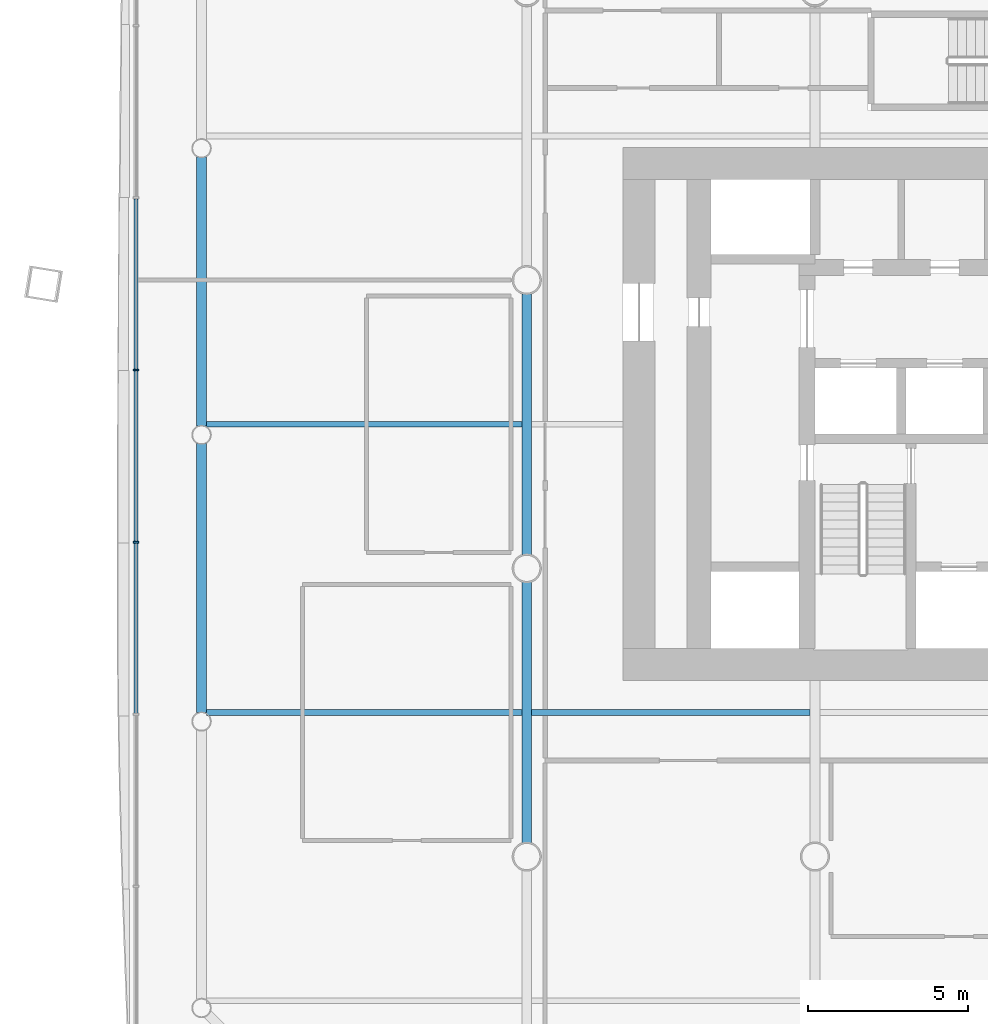
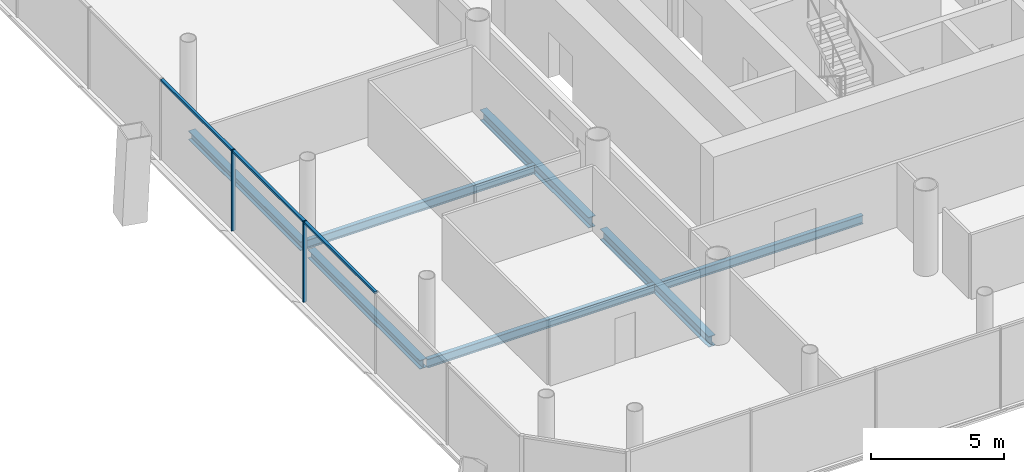
# One storey, part 4 of 22: 7 beams, 5 members, 1 element without a shape of its own.
"""IFC4 building model written with IfcOpenShell, lengths in metres."""

from ifc_helpers import new_model, si_unit, direction, frame, origin, origin_2d, place, context, subcontext, project, spatial, rectangle, i_section, extrude, material, material_profile, profile_set, type_object, element, aggregate, save


model = new_model("IFC4")

# Units and contexts
model_context = context("Model", 3, precision=1e-05, world=origin(), true_north=direction((0.0, 1.0)))
body_context = subcontext(model_context, "Body", "Model", "MODEL_VIEW")
ifc_project = project(units=[si_unit("LENGTHUNIT", "METRE"), si_unit("AREAUNIT", "SQUARE_METRE"), si_unit("VOLUMEUNIT", "CUBIC_METRE"), si_unit("PLANEANGLEUNIT", "RADIAN"), si_unit("MASSUNIT", "GRAM", prefix="KILO")], contexts=[model_context])

# Site, building, storey
site_placement = place(None, origin())
site = spatial("IfcSite", under=ifc_project, at=site_placement, CompositionType="ELEMENT")
building_placement = place(site_placement, origin())
building = spatial("IfcBuilding", under=site, at=building_placement, Name="Tskaro Facet Tower", CompositionType="ELEMENT")
storey_placement = place(building_placement, frame((0.0, 0.0, 26.39990234375)))
storey = spatial("IfcBuildingStorey", under=building, at=storey_placement, Name="L05", CompositionType="ELEMENT", Elevation=26.39990234375)

# Curtain wall, members
ifc_material_1 = material(Name="Bronze anodised aluminium 6063-T6", Category="aluminium")
curtain_wall_type = type_object("IfcCurtainWallType", Name="Bronze office curtain wall (FW1)", PredefinedType="NOTDEFINED", material=ifc_material_1)
curtain_wall_placement = place(storey_placement, origin())
curtain_wall = element("IfcCurtainWall", 1, at=curtain_wall_placement, inside=storey, type_object=curtain_wall_type, Name="FW1 west facet L05", PredefinedType="NOTDEFINED")
ifc_material_profile_1 = material_profile(ifc_material_1, rectangle(XDim=0.06005859375, YDim=0.159912109375, at=origin_2d()), Name="Mullion 60x160")
ifc_profile_set_1 = profile_set([ifc_material_profile_1], Name="Bronze anodised aluminium 6063-T6")
member_type_1 = type_object("IfcMemberType", Name="FW1 bronze mullion 60x160", PredefinedType="MULLION", material=ifc_profile_set_1)
member_1_placement = place(storey_placement, frame((-30.201904296875, -2.806884765625, 0.0), z_axis=(0.0, 0.0, 1.0), x_axis=(0.0, -1.0, 0.0)))
member_1 = element("IfcMember", 2, at=member_1_placement, type_object=member_type_1, Name="FW1 west mullion 5", PredefinedType="MULLION", context=body_context, shape_type="SweptSolid", body=[
    extrude(rectangle(XDim=0.06005859375, YDim=0.159912109375, at=origin_2d()), origin(), (0.0, 0.0, 1.0), 3.7001953125),
])
member_2_placement = place(storey_placement, frame((-30.201904296875, -8.181396484375, 0.0), z_axis=(0.0, 0.0, 1.0), x_axis=(0.0, -1.0, 0.0)))
member_2 = element("IfcMember", 3, at=member_2_placement, type_object=member_type_1, Name="FW1 west mullion 6", PredefinedType="MULLION", context=body_context, shape_type="SweptSolid", body=[
    extrude(rectangle(XDim=0.06005859375, YDim=0.159912109375, at=origin_2d()), origin(), (0.0, 0.0, 1.0), 3.7001953125),
])
ifc_material_profile_2 = material_profile(ifc_material_1, rectangle(XDim=0.1201171875, YDim=0.10009765625, at=origin_2d()), Name="Transom 120x100")
ifc_profile_set_2 = profile_set([ifc_material_profile_2], Name="Bronze anodised aluminium 6063-T6")
member_type_2 = type_object("IfcMemberType", Name="FW1 bronze transom 120x100", PredefinedType="USERDEFINED", material=ifc_profile_set_2)
member_3_placement = place(storey_placement, frame((-30.201904296875, 2.537841796875, 3.650146484375), z_axis=(0.0, -1.0, 0.0), x_axis=(1.0, 0.0, 0.0)))
member_3 = element("IfcMember", 4, at=member_3_placement, type_object=member_type_2, Name="FW1 west transom 5.1", ObjectType="TRANSOM", PredefinedType="USERDEFINED", context=body_context, shape_type="SweptSolid", body=[
    extrude(rectangle(XDim=0.1201171875, YDim=0.10009765625, at=origin_2d()), origin(), (0.0, 0.0, 1.0), 5.314697265625),
])
member_4_placement = place(storey_placement, frame((-30.201904296875, -2.836669921875, 3.650146484375), z_axis=(0.0, -1.0, 0.0), x_axis=(1.0, 0.0, 0.0)))
member_4 = element("IfcMember", 5, at=member_4_placement, type_object=member_type_2, Name="FW1 west transom 6.1", ObjectType="TRANSOM", PredefinedType="USERDEFINED", context=body_context, shape_type="SweptSolid", body=[
    extrude(rectangle(XDim=0.1201171875, YDim=0.10009765625, at=origin_2d()), origin(), (0.0, 0.0, 1.0), 5.314697265625),
])
member_5_placement = place(storey_placement, frame((-30.201904296875, -8.21142578125, 3.650146484375), z_axis=(0.0, -1.0, 0.0), x_axis=(1.0, 0.0, 0.0)))
member_5 = element("IfcMember", 6, at=member_5_placement, type_object=member_type_2, Name="FW1 west transom 7.1", ObjectType="TRANSOM", PredefinedType="USERDEFINED", context=body_context, shape_type="SweptSolid", body=[
    extrude(rectangle(XDim=0.1201171875, YDim=0.10009765625, at=origin_2d()), origin(), (0.0, 0.0, 1.0), 5.314453125),
])
aggregate(curtain_wall, [member_1, member_2, member_3, member_4, member_5])

# Beams
ifc_material_2 = material(Name="Steel S355J2", Category="steel")
ifc_material_profile_3 = material_profile(ifc_material_2, i_section(OverallWidth=0.300048828125, OverallDepth=0.39990234375, WebThickness=0.013427734375, FlangeThickness=0.02392578125, FilletRadius=0.027099609375, at=origin_2d()), Name="HE 400 B")
ifc_profile_set_3 = profile_set([ifc_material_profile_3], Name="Steel S355J2")
beam_type_1 = type_object("IfcBeamType", Name="HE 400 B ring beam", PredefinedType="BEAM", material=ifc_profile_set_3)
beam_1_placement = place(storey_placement, frame((-28.156982421875, 3.841064453125, -0.33984375), z_axis=(0.0, -1.0, 0.0), x_axis=(1.0, 0.0, 0.0)))
element("IfcBeam", 7, at=beam_1_placement, inside=storey, type_object=beam_type_1, Name="HE 400 B EB22-1", PredefinedType="BEAM", context=body_context, shape_type="SweptSolid", body=[
    extrude(i_section(OverallWidth=0.300048828125, OverallDepth=0.39990234375, WebThickness=0.013427734375, FlangeThickness=0.02392578125, FilletRadius=0.027099609375, at=origin_2d()), origin(), (0.0, 0.0, 1.0), 8.399169921875),
])
beam_2_placement = place(storey_placement, frame((-28.156982421875, -5.10791015625, -0.33984375), z_axis=(0.0, -1.0, 0.0), x_axis=(1.0, 0.0, 0.0)))
element("IfcBeam", 8, at=beam_2_placement, inside=storey, type_object=beam_type_1, Name="HE 400 B EB23-1", PredefinedType="BEAM", context=body_context, shape_type="SweptSolid", body=[
    extrude(i_section(OverallWidth=0.300048828125, OverallDepth=0.39990234375, WebThickness=0.013427734375, FlangeThickness=0.02392578125, FilletRadius=0.027099609375, at=origin_2d()), origin(), (0.0, 0.0, 1.0), 8.398193359375),
])
ifc_material_profile_4 = material_profile(ifc_material_2, i_section(OverallWidth=0.300048828125, OverallDepth=0.489990234375, WebThickness=0.011962890625, FlangeThickness=0.02294921875, FilletRadius=0.027099609375, at=origin_2d()), Name="HE 500 A")
ifc_profile_set_4 = profile_set([ifc_material_profile_4], Name="Steel S355J2")
beam_type_2 = type_object("IfcBeamType", Name="HE 500 A girder", PredefinedType="BEAM", material=ifc_profile_set_4)
for number, where, z_axis, x_axis, name in (
    (9, (-18.0, -17.57275390625, -0.385009765625), (0.0, 1.0, 0.0), (-1.0, 0.0, 0.0), "HE 500 A GB2-2-1"),
    (10, (-18.0, -8.57275390625, -0.385009765625), (0.0, 1.0, 0.0), (-1.0, 0.0, 0.0), "HE 500 A GB2-3-1"),
):
    element("IfcBeam", number, at=place(storey_placement, frame(where, z_axis=z_axis, x_axis=x_axis)), inside=storey, type_object=beam_type_2, Name=name, PredefinedType="BEAM", context=body_context, shape_type="SweptSolid", body=[
        extrude(i_section(OverallWidth=0.300048828125, OverallDepth=0.489990234375, WebThickness=0.011962890625, FlangeThickness=0.02294921875, FilletRadius=0.027099609375, at=origin_2d()), origin(), (0.0, 0.0, 1.0), 8.1455078125),
    ])
ifc_material_profile_5 = material_profile(ifc_material_2, i_section(OverallWidth=0.179931640625, OverallDepth=0.39990234375, WebThickness=0.008544921875, FlangeThickness=0.013427734375, FilletRadius=0.02099609375, at=origin_2d()), Name="IPE 400")
ifc_profile_set_5 = profile_set([ifc_material_profile_5], Name="Steel S355J2")
beam_type_3 = type_object("IfcBeamType", Name="IPE 400 secondary beam", PredefinedType="BEAM", material=ifc_profile_set_5)
beam_3_placement = place(storey_placement, frame((-28.007080078125, -13.5, -0.33984375), z_axis=(1.0, 0.0, 0.0), x_axis=(0.0, 1.0, 0.0)))
element("IfcBeam", 11, at=beam_3_placement, inside=storey, type_object=beam_type_3, Name="IPE 400 SB2a-1-1", PredefinedType="BEAM", context=body_context, shape_type="SweptSolid", body=[
    extrude(i_section(OverallWidth=0.179931640625, OverallDepth=0.39990234375, WebThickness=0.008544921875, FlangeThickness=0.013427734375, FilletRadius=0.02099609375, at=origin_2d()), origin(), (0.0, 0.0, 1.0), 9.857177734375),
])
beam_4_placement = place(storey_placement, frame((-17.85009765625, -13.5, -0.33984375), z_axis=(1.0, 0.0, 0.0), x_axis=(0.0, 1.0, 0.0)))
element("IfcBeam", 12, at=beam_4_placement, inside=storey, type_object=beam_type_3, Name="IPE 400 SB2a-2-1", PredefinedType="BEAM", context=body_context, shape_type="SweptSolid", body=[
    extrude(i_section(OverallWidth=0.179931640625, OverallDepth=0.39990234375, WebThickness=0.008544921875, FlangeThickness=0.013427734375, FilletRadius=0.02099609375, at=origin_2d()), origin(), (0.0, 0.0, 1.0), 8.7001953125),
])
beam_5_placement = place(storey_placement, frame((-28.007080078125, -4.5, -0.33984375), z_axis=(1.0, 0.0, 0.0), x_axis=(0.0, 1.0, 0.0)))
element("IfcBeam", 13, at=beam_5_placement, inside=storey, type_object=beam_type_3, Name="IPE 400 SB3a-1-1", PredefinedType="BEAM", context=body_context, shape_type="SweptSolid", body=[
    extrude(i_section(OverallWidth=0.179931640625, OverallDepth=0.39990234375, WebThickness=0.008544921875, FlangeThickness=0.013427734375, FilletRadius=0.02099609375, at=origin_2d()), origin(), (0.0, 0.0, 1.0), 9.857177734375),
])

save(model, "model.ifc")
